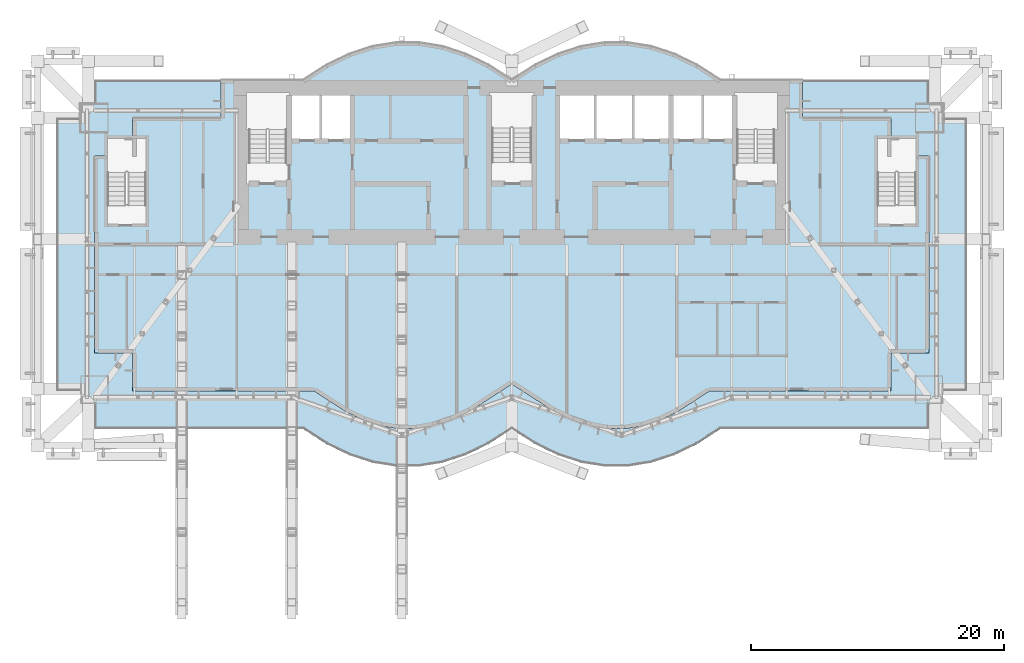
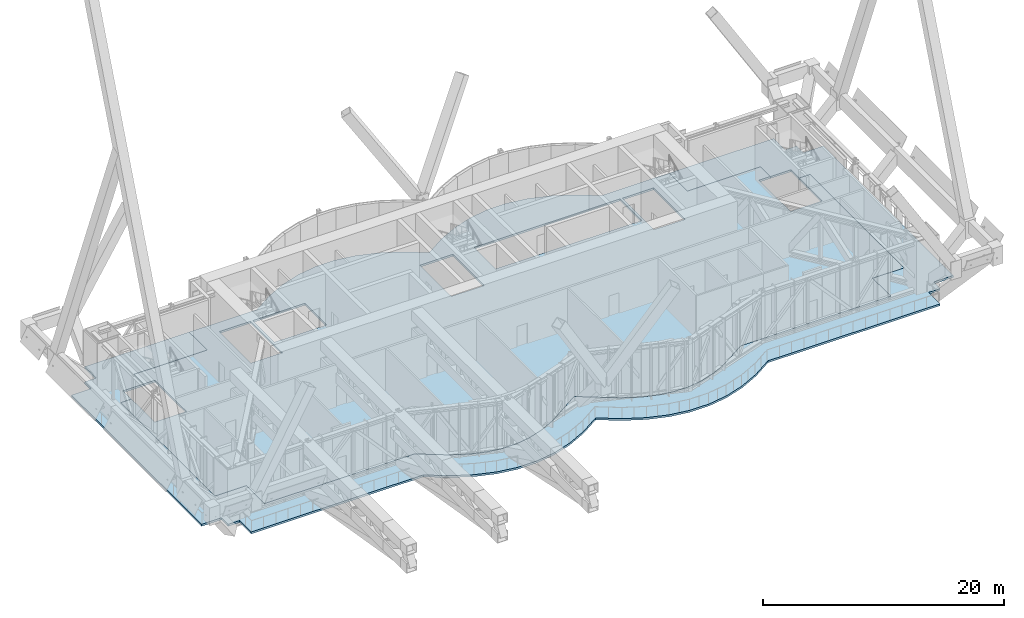
# One storey, part 21 of 30: 2 slabs.
"""IFC4 building model written with IfcOpenShell, lengths in metres."""

from ifc_helpers import new_model, si_unit, direction, frame, origin, place, context, subcontext, project, spatial, polyline, outline, extrude, material, layer, layer_set, type_object, element, save


model = new_model("IFC4")

# Units and contexts
model_context = context("Model", 3, precision=1e-05, world=origin(), true_north=direction((0.0, 1.0)))
body_context = subcontext(model_context, "Body", "Model", "MODEL_VIEW")
ifc_project = project(units=[si_unit("LENGTHUNIT", "METRE"), si_unit("AREAUNIT", "SQUARE_METRE"), si_unit("VOLUMEUNIT", "CUBIC_METRE"), si_unit("PLANEANGLEUNIT", "RADIAN"), si_unit("MASSUNIT", "GRAM", prefix="KILO")], contexts=[model_context])

# Site, building, storey
site_placement = place(None, origin())
site = spatial("IfcSite", under=ifc_project, at=site_placement, CompositionType="ELEMENT")
building_placement = place(site_placement, origin())
building = spatial("IfcBuilding", under=site, at=building_placement, Name="Bicima Exchange Tower", CompositionType="ELEMENT")
storey_placement = place(building_placement, frame((0.0, 0.0, 287.60009765625)))
storey = spatial("IfcBuildingStorey", under=building, at=storey_placement, Name="L65", CompositionType="ELEMENT", Elevation=287.60009765625)

# Slabs
ifc_material = material(Name="Concrete C40/50", Category="concrete")
ifc_layer = layer(ifc_material, 0.199951171875)
ifc_layer_set = layer_set([ifc_layer], Name="Concrete C40/50")
slab_type = type_object("IfcSlabType", Name="Composite refuge floor slab 200", PredefinedType="FLOOR", material=ifc_layer_set)
slab_1_placement = place(storey_placement, frame((0.0, 0.0, -0.2001953125)))
element("IfcSlab", 1, at=slab_1_placement, inside=storey, type_object=slab_type, Name="Floor slab", PredefinedType="FLOOR", context=body_context, shape_type="SweptSolid", body=[
    extrude(outline(polyline([(33.0, -6.0), (33.0, -21.60400390625), (30.0, -21.60400390625), (30.0, -24.60400390625), (15.61474609375, -24.60400390625), (13.1923828125, -26.169921875), (11.712158203125, -26.8876953125), (10.295166015625, -27.345703125), (8.92578125, -27.56689453125), (7.57421875, -27.56689453125), (6.204833984375, -27.345703125), (4.787841796875, -26.8876953125), (3.3076171875, -26.169921875), (0.0, -24.03173828125), (-3.3076171875, -26.169921875), (-4.787841796875, -26.8876953125), (-6.204833984375, -27.345703125), (-7.57421875, -27.56689453125), (-8.92578125, -27.56689453125), (-10.295166015625, -27.345703125), (-11.712158203125, -26.8876953125), (-13.1923828125, -26.169921875), (-15.61474609375, -24.60400390625), (-30.0, -24.60400390625), (-30.0, -21.60400390625), (-33.0, -21.60400390625), (-33.0, -6.0), (-31.97509765625, -6.0), (-31.97509765625, -9.824951171875), (-28.925048828125, -9.824951171875), (-28.925048828125, -4.625), (-30.0, -4.625), (-30.0, -3.0), (-23.0, -3.0), (-23.0, 0.0), (-16.5, 0.0), (-14.666748046875, 1.185302734375), (-12.833251953125, 2.07421875), (-11.0, 2.666748046875), (-9.166748046875, 2.962890625), (-7.333251953125, 2.962890625), (-5.5, 2.666748046875), (-3.666748046875, 2.07421875), (-1.833251953125, 1.185302734375), (0.0, 0.0), (1.833251953125, 1.185302734375), (3.666748046875, 2.07421875), (5.5, 2.666748046875), (7.333251953125, 2.962890625), (9.166748046875, 2.962890625), (11.0, 2.666748046875), (12.833251953125, 2.07421875), (14.666748046875, 1.185302734375), (16.5, 0.0), (23.0, 0.0), (23.0, -3.0), (30.0, -3.0), (30.0, -4.625), (28.925048828125, -4.625), (28.925048828125, -9.824951171875), (31.97509765625, -9.824951171875), (31.97509765625, -6.0), (33.0, -6.0)]), holes=[polyline([(-20.800048828125, -6.449951171875), (-17.800048828125, -6.449951171875), (-17.800048828125, -1.199951171875), (-20.800048828125, -1.199951171875), (-20.800048828125, -6.449951171875)]), polyline([(-1.574951171875, -6.39990234375), (1.574951171875, -6.39990234375), (1.574951171875, -1.199951171875), (-1.574951171875, -1.199951171875), (-1.574951171875, -6.39990234375)]), polyline([(-12.60009765625, -1.199951171875), (-15.10009765625, -1.199951171875), (-17.60009765625, -1.199951171875), (-17.60009765625, -4.800048828125), (-15.10009765625, -4.800048828125), (-12.60009765625, -4.800048828125), (-12.60009765625, -1.199951171875)]), polyline([(3.60009765625, -4.800048828125), (6.60009765625, -4.800048828125), (9.60009765625, -4.800048828125), (12.60009765625, -4.800048828125), (15.10009765625, -4.800048828125), (17.60009765625, -4.800048828125), (17.60009765625, -1.199951171875), (15.10009765625, -1.199951171875), (12.60009765625, -1.199951171875), (9.60009765625, -1.199951171875), (6.60009765625, -1.199951171875), (3.60009765625, -1.199951171875), (3.60009765625, -4.800048828125)]), polyline([(17.800048828125, -6.449951171875), (20.800048828125, -6.449951171875), (20.800048828125, -1.199951171875), (17.800048828125, -1.199951171875), (17.800048828125, -6.449951171875)])]), origin(), (0.0, 0.0, 1.0), 0.2001953125),
])
slab_2_placement = place(storey_placement, frame((0.0, 0.0, -0.2001953125)))
element("IfcSlab", 2, at=slab_2_placement, inside=storey, type_object=slab_type, Name="Refuge terrace slab", PredefinedType="FLOOR", context=body_context, shape_type="SweptSolid", body=[
    extrude(outline(polyline([(30.0, -3.0), (23.0, -3.0), (23.0, 0.0), (33.0, 0.0), (33.0, -1.89990234375), (34.10009765625, -1.89990234375), (34.10009765625, -3.0), (36.0, -3.0), (36.0, -24.60400390625), (34.10009765625, -24.60400390625), (34.10009765625, -25.7041015625), (33.0, -25.7041015625), (33.0, -27.60400390625), (16.5, -27.60400390625), (14.666748046875, -28.789306640625), (12.833251953125, -29.677978515625), (11.0, -30.270751953125), (9.166748046875, -30.56689453125), (7.333251953125, -30.56689453125), (5.5, -30.270751953125), (3.666748046875, -29.677978515625), (1.833251953125, -28.789306640625), (0.0, -27.60400390625), (-1.833251953125, -28.789306640625), (-3.666748046875, -29.677978515625), (-5.5, -30.270751953125), (-7.333251953125, -30.56689453125), (-9.166748046875, -30.56689453125), (-11.0, -30.270751953125), (-12.833251953125, -29.677978515625), (-14.666748046875, -28.789306640625), (-16.5, -27.60400390625), (-33.0, -27.60400390625), (-33.0, -25.7041015625), (-34.10009765625, -25.7041015625), (-34.10009765625, -24.60400390625), (-36.0, -24.60400390625), (-36.0, -3.0), (-34.10009765625, -3.0), (-34.10009765625, -1.89990234375), (-33.0, -1.89990234375), (-33.0, 0.0), (-23.0, 0.0), (-23.0, -3.0), (-30.0, -3.0), (-30.0, -4.625), (-31.97509765625, -4.625), (-31.97509765625, -6.0), (-33.0, -6.0), (-33.0, -21.60400390625), (-30.0, -21.60400390625), (-30.0, -24.60400390625), (-15.61474609375, -24.60400390625), (-13.1923828125, -26.169921875), (-11.712158203125, -26.8876953125), (-10.295166015625, -27.345703125), (-8.92578125, -27.56689453125), (-7.57421875, -27.56689453125), (-6.204833984375, -27.345703125), (-4.787841796875, -26.8876953125), (-3.3076171875, -26.169921875), (0.0, -24.03173828125), (3.3076171875, -26.169921875), (4.787841796875, -26.8876953125), (6.204833984375, -27.345703125), (7.57421875, -27.56689453125), (8.92578125, -27.56689453125), (10.295166015625, -27.345703125), (11.712158203125, -26.8876953125), (13.1923828125, -26.169921875), (15.61474609375, -24.60400390625), (30.0, -24.60400390625), (30.0, -21.60400390625), (33.0, -21.60400390625), (33.0, -6.0), (31.97509765625, -6.0), (31.97509765625, -4.625), (30.0, -4.625), (30.0, -3.0)])), origin(), (0.0, 0.0, 1.0), 0.2001953125),
])

save(model, "model.ifc")
